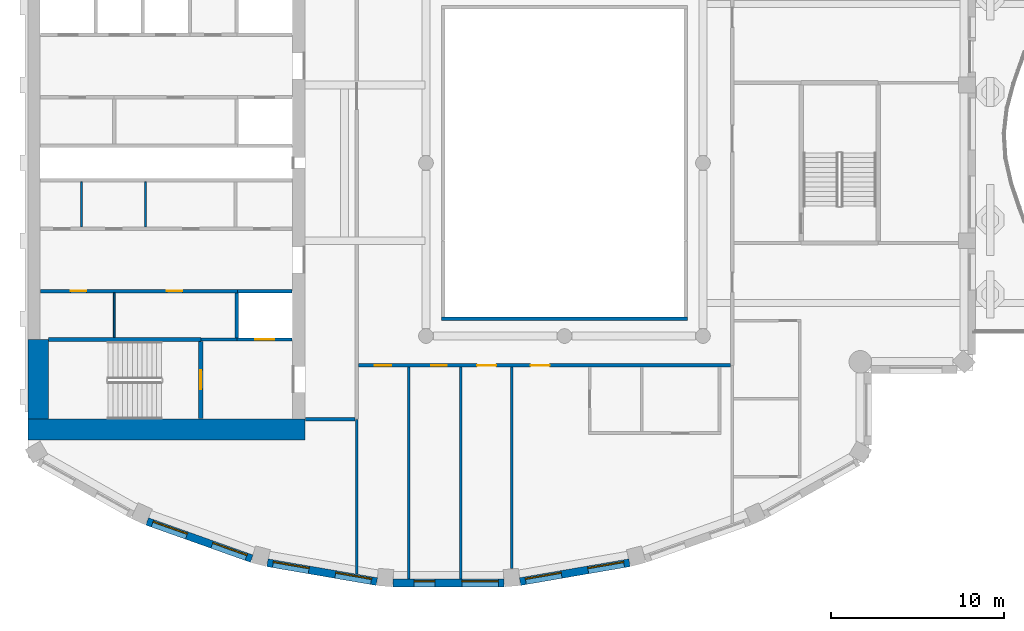
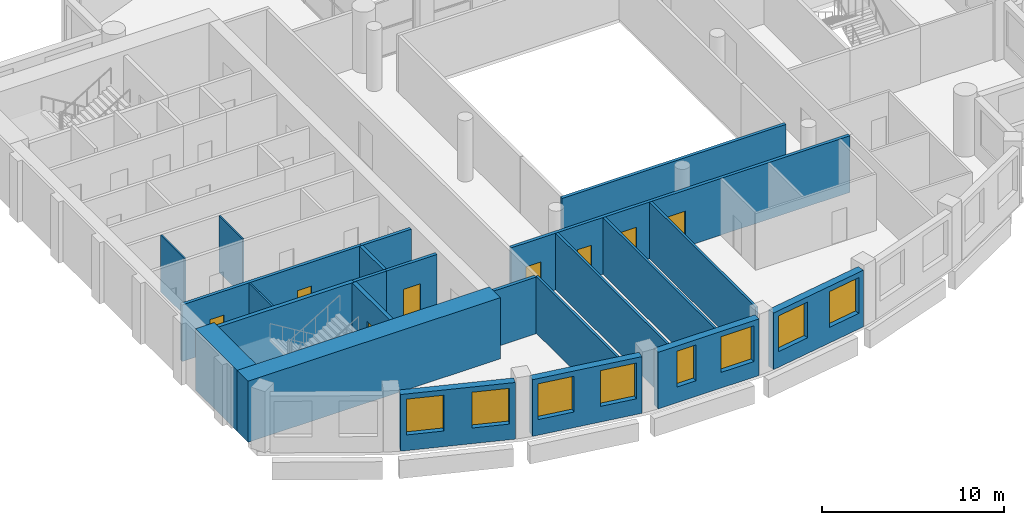
# One storey, part 4 of 14: 23 walls, 8 doors, 8 windows, 16 openings.
"""IFC4 building model written with IfcOpenShell, lengths in metres."""

from ifc_helpers import new_model, si_unit, direction, frame, frame_2d, origin, place, context, subcontext, project, spatial, rectangle, extrude, material, layer, layer_set, type_object, element, fill, save


model = new_model("IFC4")

# Units and contexts
model_context = context("Model", 3, precision=1e-05, world=origin(), true_north=direction((0.0, 1.0)))
body_context = subcontext(model_context, "Body", "Model", "MODEL_VIEW")
ifc_project = project(units=[si_unit("LENGTHUNIT", "METRE"), si_unit("AREAUNIT", "SQUARE_METRE"), si_unit("VOLUMEUNIT", "CUBIC_METRE"), si_unit("PLANEANGLEUNIT", "RADIAN"), si_unit("MASSUNIT", "GRAM", prefix="KILO")], contexts=[model_context])

# Site, building, storey
site_placement = place(None, origin())
site = spatial("IfcSite", under=ifc_project, at=site_placement, CompositionType="ELEMENT")
building_placement = place(site_placement, origin())
building = spatial("IfcBuilding", under=site, at=building_placement, Name="Cypress Arch Tower", CompositionType="ELEMENT")
storey_placement = place(building_placement, frame((0.0, 0.0, 268.0)))
storey = spatial("IfcBuildingStorey", under=building, at=storey_placement, Name="L60", CompositionType="ELEMENT", Elevation=268.0)

# Wall, openings, windows
ifc_material_1 = material(Name="Brick (red buff blend)", Category="masonry")
ifc_layer_1 = layer(ifc_material_1, 0.449951171875)
ifc_layer_set_1 = layer_set([ifc_layer_1], Name="Brick pier and spandrel wall BW450")
wall_type_1 = type_object("IfcWallType", Name="Brick pier and spandrel wall BW450", PredefinedType="SOLIDWALL", material=ifc_layer_set_1)
wall_1_placement = place(storey_placement, frame((-23.10498046875, -20.70947265625, 0.0), z_axis=(0.0, 0.0, 1.0), x_axis=(0.942104058931, -0.335320655711, 0.0)))
wall_1 = element("IfcWall", 1, at=wall_1_placement, inside=storey, type_object=wall_type_1, Name="Brick wall L60 C09.0", PredefinedType="SOLIDWALL", context=body_context, shape_type="SweptSolid", body=[
    extrude(rectangle(XDim=6.411376953125, YDim=0.449951171875, at=frame_2d((3.20556640625, 0.0))), origin(), (0.0, 0.0, 1.0), 3.800048828125),
])
opening_1_placement = place(wall_1_placement, frame((0.3271484375, 0.0, 1.050048828125)))
opening_1 = element("IfcOpeningElement", 2, at=opening_1_placement, cuts=wall_1, Name="Opening W210O", PredefinedType="OPENING", context=body_context, shape_type="SweptSolid", body=[
    extrude(rectangle(XDim=2.10009765625, YDim=2.39990234375, at=frame_2d((1.050048828125, 1.199951171875))), frame((0.0, 0.23486328125, 0.0), z_axis=(0.0, -1.0, 0.0), x_axis=(1.0, 0.0, 0.0)), (0.0, 0.0, 1.0), 0.469970703125),
])
opening_2_placement = place(wall_1_placement, frame((3.984619140625, 0.0, 1.050048828125)))
opening_2 = element("IfcOpeningElement", 3, at=opening_2_placement, cuts=wall_1, Name="Opening W210O", PredefinedType="OPENING", context=body_context, shape_type="SweptSolid", body=[
    extrude(rectangle(XDim=2.10009765625, YDim=2.39990234375, at=frame_2d((1.050048828125, 1.199951171875))), frame((0.0, 0.23486328125, 0.0), z_axis=(0.0, -1.0, 0.0), x_axis=(1.0, 0.0, 0.0)), (0.0, 0.0, 1.0), 0.469970703125),
])
ifc_material_2 = material(Name="Anodised aluminium, bronze finish, clear low-emissivity double glazing", Category="aluminium")
window_type_1 = type_object("IfcWindowType", Name="Window Office 2100x2400", PartitioningType="SINGLE_PANEL", PredefinedType="WINDOW", material=ifc_material_2)
window_1_placement = place(opening_1_placement, origin())
window_1 = element("IfcWindow", 4, at=window_1_placement, inside=storey, type_object=window_type_1, Name="Window L60 C09.0.1", OverallHeight=2.39990234375, OverallWidth=2.10009765625, PartitioningType="SINGLE_PANEL", PredefinedType="WINDOW", context=body_context, shape_type="SweptSolid", body=[
    extrude(rectangle(XDim=2.10009765625, YDim=2.39990234375, at=frame_2d((1.050048828125, 1.199951171875))), frame((0.0, 0.135009765625, 0.0), z_axis=(0.0, -1.0, 0.0), x_axis=(1.0, 0.0, 0.0)), (0.0, 0.0, 1.0), 0.06005859375),
])
fill(opening_1, window_1)
window_2_placement = place(opening_2_placement, origin())
window_2 = element("IfcWindow", 5, at=window_2_placement, inside=storey, type_object=window_type_1, Name="Window L60 C09.0.2", OverallHeight=2.39990234375, OverallWidth=2.10009765625, PartitioningType="SINGLE_PANEL", PredefinedType="WINDOW", context=body_context, shape_type="SweptSolid", body=[
    extrude(rectangle(XDim=2.10009765625, YDim=2.39990234375, at=frame_2d((1.050048828125, 1.199951171875))), frame((0.0, 0.135009765625, 0.0), z_axis=(0.0, -1.0, 0.0), x_axis=(1.0, 0.0, 0.0)), (0.0, 0.0, 1.0), 0.06005859375),
])
fill(opening_2, window_2)

wall_2_placement = place(storey_placement, frame((-16.15673828125, -23.09716796875, 0.0), z_axis=(0.0, 0.0, 1.0), x_axis=(0.985502073964, -0.169663379113, 0.0)))
wall_2 = element("IfcWall", 6, at=wall_2_placement, inside=storey, type_object=wall_type_1, Name="Brick wall L60 C10.0", PredefinedType="SOLIDWALL", context=body_context, shape_type="SweptSolid", body=[
    extrude(rectangle(XDim=6.412109375, YDim=0.449951171875, at=frame_2d((3.2060546875, 0.0))), origin(), (0.0, 0.0, 1.0), 3.800048828125),
])
opening_3_placement = place(wall_2_placement, frame((0.3271484375, 0.0, 1.050048828125)))
opening_3 = element("IfcOpeningElement", 7, at=opening_3_placement, cuts=wall_2, Name="Opening W210O", PredefinedType="OPENING", context=body_context, shape_type="SweptSolid", body=[
    extrude(rectangle(XDim=2.10009765625, YDim=2.39990234375, at=frame_2d((1.050048828125, 1.199951171875))), frame((0.0, 0.23486328125, 0.0), z_axis=(0.0, -1.0, 0.0), x_axis=(1.0, 0.0, 0.0)), (0.0, 0.0, 1.0), 0.469970703125),
])
opening_4_placement = place(wall_2_placement, frame((3.98486328125, 0.0, 1.050048828125)))
opening_4 = element("IfcOpeningElement", 8, at=opening_4_placement, cuts=wall_2, Name="Opening W210O", PredefinedType="OPENING", context=body_context, shape_type="SweptSolid", body=[
    extrude(rectangle(XDim=2.10009765625, YDim=2.39990234375, at=frame_2d((1.050048828125, 1.199951171875))), frame((0.0, 0.23486328125, 0.0), z_axis=(0.0, -1.0, 0.0), x_axis=(1.0, 0.0, 0.0)), (0.0, 0.0, 1.0), 0.469970703125),
])
window_3_placement = place(opening_3_placement, origin())
window_3 = element("IfcWindow", 9, at=window_3_placement, inside=storey, type_object=window_type_1, Name="Window L60 C10.0.1", OverallHeight=2.39990234375, OverallWidth=2.10009765625, PartitioningType="SINGLE_PANEL", PredefinedType="WINDOW", context=body_context, shape_type="SweptSolid", body=[
    extrude(rectangle(XDim=2.10009765625, YDim=2.39990234375, at=frame_2d((1.050048828125, 1.199951171875))), frame((0.0, 0.135009765625, 0.0), z_axis=(0.0, -1.0, 0.0), x_axis=(1.0, 0.0, 0.0)), (0.0, 0.0, 1.0), 0.06005859375),
])
fill(opening_3, window_3)
window_4_placement = place(opening_4_placement, origin())
window_4 = element("IfcWindow", 10, at=window_4_placement, inside=storey, type_object=window_type_1, Name="Window L60 C10.0.2", OverallHeight=2.39990234375, OverallWidth=2.10009765625, PartitioningType="SINGLE_PANEL", PredefinedType="WINDOW", context=body_context, shape_type="SweptSolid", body=[
    extrude(rectangle(XDim=2.10009765625, YDim=2.39990234375, at=frame_2d((1.050048828125, 1.199951171875))), frame((0.0, 0.135009765625, 0.0), z_axis=(0.0, -1.0, 0.0), x_axis=(1.0, 0.0, 0.0)), (0.0, 0.0, 1.0), 0.06005859375),
])
fill(opening_4, window_4)

wall_3_placement = place(storey_placement, frame((-8.90283203125, -24.264892578125, 0.0), z_axis=(0.0, 0.0, 1.0), x_axis=(1.0, 0.0, 0.0)))
wall_3 = element("IfcWall", 11, at=wall_3_placement, inside=storey, type_object=wall_type_1, Name="Brick wall L60 C11.0", PredefinedType="SOLIDWALL", context=body_context, shape_type="SweptSolid", body=[
    extrude(rectangle(XDim=6.405517578125, YDim=0.449951171875, at=frame_2d((3.20263671875, 0.0))), origin(), (0.0, 0.0, 1.0), 3.800048828125),
])
opening_5_placement = place(wall_3_placement, frame((3.97998046875, 0.0, 1.050048828125)))
opening_5 = element("IfcOpeningElement", 12, at=opening_5_placement, cuts=wall_3, Name="Opening W210O", PredefinedType="OPENING", context=body_context, shape_type="SweptSolid", body=[
    extrude(rectangle(XDim=2.10009765625, YDim=2.39990234375, at=frame_2d((1.050048828125, 1.199951171875))), frame((0.0, 0.23486328125, 0.0), z_axis=(0.0, -1.0, 0.0), x_axis=(1.0, 0.0, 0.0)), (0.0, 0.0, 1.0), 0.469970703125),
])
opening_6_placement = place(wall_3_placement, frame((1.214111328125, 0.0, 1.050048828125)))
opening_6 = element("IfcOpeningElement", 13, at=opening_6_placement, cuts=wall_3, Name="Opening W120O", PredefinedType="OPENING", context=body_context, shape_type="SweptSolid", body=[
    extrude(rectangle(XDim=1.199951171875, YDim=2.39990234375, at=frame_2d((0.60009765625, 1.199951171875))), frame((0.0, 0.23486328125, 0.0), z_axis=(0.0, -1.0, 0.0), x_axis=(1.0, 0.0, 0.0)), (0.0, 0.0, 1.0), 0.469970703125),
])
ifc_material_3 = material(Name="Anodised aluminium, bronze finish, clear low-emissivity double glazing", Category="aluminium")
window_type_2 = type_object("IfcWindowType", Name="Window Office 1200x2400", PartitioningType="SINGLE_PANEL", PredefinedType="WINDOW", material=ifc_material_3)
window_5_placement = place(opening_6_placement, origin())
window_5 = element("IfcWindow", 14, at=window_5_placement, inside=storey, type_object=window_type_2, Name="Window L60 C11.0.1", OverallHeight=2.39990234375, OverallWidth=1.199951171875, PartitioningType="SINGLE_PANEL", PredefinedType="WINDOW", context=body_context, shape_type="SweptSolid", body=[
    extrude(rectangle(XDim=1.199951171875, YDim=2.39990234375, at=frame_2d((0.60009765625, 1.199951171875))), frame((0.0, 0.135009765625, 0.0), z_axis=(0.0, -1.0, 0.0), x_axis=(1.0, 0.0, 0.0)), (0.0, 0.0, 1.0), 0.06005859375),
])
fill(opening_6, window_5)
window_6_placement = place(opening_5_placement, origin())
window_6 = element("IfcWindow", 15, at=window_6_placement, inside=storey, type_object=window_type_1, Name="Window L60 C11.0.2", OverallHeight=2.39990234375, OverallWidth=2.10009765625, PartitioningType="SINGLE_PANEL", PredefinedType="WINDOW", context=body_context, shape_type="SweptSolid", body=[
    extrude(rectangle(XDim=2.10009765625, YDim=2.39990234375, at=frame_2d((1.050048828125, 1.199951171875))), frame((0.0, 0.135009765625, 0.0), z_axis=(0.0, -1.0, 0.0), x_axis=(1.0, 0.0, 0.0)), (0.0, 0.0, 1.0), 0.06005859375),
])
fill(opening_5, window_6)

wall_4_placement = place(storey_placement, frame((-1.562255859375, -24.18505859375, 0.0), z_axis=(0.0, 0.0, 1.0), x_axis=(0.985502073964, 0.169663379113, 0.0)))
wall_4 = element("IfcWall", 16, at=wall_4_placement, inside=storey, type_object=wall_type_1, Name="Brick wall L60 C12.0", PredefinedType="SOLIDWALL", context=body_context, shape_type="SweptSolid", body=[
    extrude(rectangle(XDim=6.412109375, YDim=0.449951171875, at=frame_2d((3.2060546875, 0.0))), origin(), (0.0, 0.0, 1.0), 3.800048828125),
])
opening_7_placement = place(wall_4_placement, frame((0.3271484375, 0.0, 1.050048828125)))
opening_7 = element("IfcOpeningElement", 17, at=opening_7_placement, cuts=wall_4, Name="Opening W210O", PredefinedType="OPENING", context=body_context, shape_type="SweptSolid", body=[
    extrude(rectangle(XDim=2.10009765625, YDim=2.39990234375, at=frame_2d((1.050048828125, 1.199951171875))), frame((0.0, 0.23486328125, 0.0), z_axis=(0.0, -1.0, 0.0), x_axis=(1.0, 0.0, 0.0)), (0.0, 0.0, 1.0), 0.469970703125),
])
opening_8_placement = place(wall_4_placement, frame((3.98486328125, 0.0, 1.050048828125)))
opening_8 = element("IfcOpeningElement", 18, at=opening_8_placement, cuts=wall_4, Name="Opening W210O", PredefinedType="OPENING", context=body_context, shape_type="SweptSolid", body=[
    extrude(rectangle(XDim=2.10009765625, YDim=2.39990234375, at=frame_2d((1.050048828125, 1.199951171875))), frame((0.0, 0.23486328125, 0.0), z_axis=(0.0, -1.0, 0.0), x_axis=(1.0, 0.0, 0.0)), (0.0, 0.0, 1.0), 0.469970703125),
])
window_7_placement = place(opening_7_placement, origin())
window_7 = element("IfcWindow", 19, at=window_7_placement, inside=storey, type_object=window_type_1, Name="Window L60 C12.0.1", OverallHeight=2.39990234375, OverallWidth=2.10009765625, PartitioningType="SINGLE_PANEL", PredefinedType="WINDOW", context=body_context, shape_type="SweptSolid", body=[
    extrude(rectangle(XDim=2.10009765625, YDim=2.39990234375, at=frame_2d((1.050048828125, 1.199951171875))), frame((0.0, 0.135009765625, 0.0), z_axis=(0.0, -1.0, 0.0), x_axis=(1.0, 0.0, 0.0)), (0.0, 0.0, 1.0), 0.06005859375),
])
fill(opening_7, window_7)
window_8_placement = place(opening_8_placement, origin())
window_8 = element("IfcWindow", 20, at=window_8_placement, inside=storey, type_object=window_type_1, Name="Window L60 C12.0.2", OverallHeight=2.39990234375, OverallWidth=2.10009765625, PartitioningType="SINGLE_PANEL", PredefinedType="WINDOW", context=body_context, shape_type="SweptSolid", body=[
    extrude(rectangle(XDim=2.10009765625, YDim=2.39990234375, at=frame_2d((1.050048828125, 1.199951171875))), frame((0.0, 0.135009765625, 0.0), z_axis=(0.0, -1.0, 0.0), x_axis=(1.0, 0.0, 0.0)), (0.0, 0.0, 1.0), 0.06005859375),
])
fill(opening_8, window_8)

# Walls
ifc_material_4 = material(Name="Concrete C60/75", Category="concrete")
ifc_layer_2 = layer(ifc_material_4, 1.199951171875)
ifc_layer_set_2 = layer_set([ifc_layer_2], Name="Core wall CW1200 C60/75")
wall_type_2 = type_object("IfcWallType", Name="Core wall CW1200 C60/75", PredefinedType="SHEAR", material=ifc_layer_set_2)
wall_5_placement = place(storey_placement, frame((-30.0, -15.39990234375, 0.0), z_axis=(0.0, 0.0, 1.0), x_axis=(1.0, 0.0, 0.0)))
element("IfcWall", 21, at=wall_5_placement, inside=storey, type_object=wall_type_2, Name="Core wall", PredefinedType="SHEAR", context=body_context, shape_type="SweptSolid", body=[
    extrude(rectangle(XDim=16.0, YDim=1.199951171875, at=frame_2d((8.0, 0.0))), origin(), (0.0, 0.0, 1.0), 4.10009765625),
])
wall_6_placement = place(storey_placement, frame((-29.39990234375, -14.800048828125, 0.0), z_axis=(0.0, 0.0, 1.0), x_axis=(0.0, 1.0, 0.0)))
element("IfcWall", 22, at=wall_6_placement, inside=storey, type_object=wall_type_2, Name="Core wall", PredefinedType="SHEAR", context=body_context, shape_type="SweptSolid", body=[
    extrude(rectangle(XDim=4.60009765625, YDim=1.199951171875, at=frame_2d((2.300048828125, 0.0))), origin(), (0.0, 0.0, 1.0), 4.10009765625),
])

# Wall, openings, doors
ifc_material_5 = material(Name="Concrete blockwork, plastered, rated", Category="masonry")
ifc_layer_3 = layer(ifc_material_5, 0.199951171875)
ifc_layer_set_3 = layer_set([ifc_layer_3], Name="Corridor wall FW200")
wall_type_3 = type_object("IfcWallType", Name="Corridor wall FW200", PredefinedType="PARTITIONING", material=ifc_layer_set_3)
wall_7_placement = place(storey_placement, frame((-29.27001953125, -7.39990234375, 0.0), z_axis=(0.0, 0.0, 1.0), x_axis=(1.0, 0.0, 0.0)))
wall_7 = element("IfcWall", 23, at=wall_7_placement, inside=storey, type_object=wall_type_3, Name="Corridor wall", PredefinedType="PARTITIONING", context=body_context, shape_type="SweptSolid", body=[
    extrude(rectangle(XDim=11.3701171875, YDim=0.199951171875, at=frame_2d((5.68505859375, 0.0))), origin(), (0.0, 0.0, 1.0), 3.800048828125),
])
opening_9_placement = place(wall_7_placement, frame((1.75, 0.0, 0.0)))
opening_9 = element("IfcOpeningElement", 24, at=opening_9_placement, cuts=wall_7, Name="Opening D05", PredefinedType="OPENING", context=body_context, shape_type="SweptSolid", body=[
    extrude(rectangle(XDim=0.89990234375, YDim=2.199951171875, at=frame_2d((0.449951171875, 1.10009765625))), frame((0.0, 0.10986328125, 0.0), z_axis=(0.0, -1.0, 0.0), x_axis=(1.0, 0.0, 0.0)), (0.0, 0.0, 1.0), 0.219970703125),
])
opening_10_placement = place(wall_7_placement, frame((7.300048828125, 0.0, 0.0)))
opening_10 = element("IfcOpeningElement", 25, at=opening_10_placement, cuts=wall_7, Name="Opening D05", PredefinedType="OPENING", context=body_context, shape_type="SweptSolid", body=[
    extrude(rectangle(XDim=0.89990234375, YDim=2.199951171875, at=frame_2d((0.449951171875, 1.10009765625))), frame((0.0, 0.10986328125, 0.0), z_axis=(0.0, -1.0, 0.0), x_axis=(1.0, 0.0, 0.0)), (0.0, 0.0, 1.0), 0.219970703125),
])
ifc_material_6 = material(Name="Timber flush door", Category="wood")
door_type_1 = type_object("IfcDoorType", Name="Service door D05 900x2200", OperationType="SINGLE_SWING_LEFT", PredefinedType="DOOR", material=ifc_material_6)
door_1_placement = place(opening_9_placement, origin())
door_1 = element("IfcDoor", 26, at=door_1_placement, inside=storey, type_object=door_type_1, Name="Service door", OperationType="SINGLE_SWING_LEFT", OverallHeight=2.199951171875, OverallWidth=0.89990234375, PredefinedType="DOOR", context=body_context, shape_type="SweptSolid", body=[
    extrude(rectangle(XDim=0.89990234375, YDim=2.199951171875, at=frame_2d((0.449951171875, 1.10009765625))), frame((0.0, 0.02490234375, 0.0), z_axis=(0.0, -1.0, 0.0), x_axis=(1.0, 0.0, 0.0)), (0.0, 0.0, 1.0), 0.050048828125),
])
fill(opening_9, door_1)
door_2_placement = place(opening_10_placement, origin())
door_2 = element("IfcDoor", 27, at=door_2_placement, inside=storey, type_object=door_type_1, Name="Service door", OperationType="SINGLE_SWING_RIGHT", OverallHeight=2.199951171875, OverallWidth=0.89990234375, PredefinedType="DOOR", context=body_context, shape_type="SweptSolid", body=[
    extrude(rectangle(XDim=0.89990234375, YDim=2.199951171875, at=frame_2d((0.449951171875, 1.10009765625))), frame((0.0, 0.02490234375, 0.0), z_axis=(0.0, -1.0, 0.0), x_axis=(1.0, 0.0, 0.0)), (0.0, 0.0, 1.0), 0.050048828125),
])
fill(opening_10, door_2)

# Walls
wall_8_placement = place(storey_placement, frame((-20.0, -10.199951171875, 0.0), z_axis=(0.0, 0.0, 1.0), x_axis=(1.0, 0.0, 0.0)))
element("IfcWall", 28, at=wall_8_placement, inside=storey, type_object=wall_type_3, Name="Corridor wall", PredefinedType="PARTITIONING", context=body_context, shape_type="SweptSolid", body=[
    extrude(rectangle(XDim=2.080078125, YDim=0.199951171875, at=frame_2d((1.0400390625, 0.0))), origin(), (0.0, 0.0, 1.0), 3.800048828125),
])
wall_9_placement = place(storey_placement, frame((-13.969970703125, -14.800048828125, 0.0), z_axis=(0.0, 0.0, 1.0), x_axis=(1.0, 0.0, 0.0)))
element("IfcWall", 29, at=wall_9_placement, inside=storey, type_object=wall_type_3, Name="Corridor wall", PredefinedType="PARTITIONING", context=body_context, shape_type="SweptSolid", body=[
    extrude(rectangle(XDim=2.869873046875, YDim=0.199951171875, at=frame_2d((1.43505859375, 0.0))), origin(), (0.0, 0.0, 1.0), 3.800048828125),
])

# Wall, openings, doors
wall_10_placement = place(storey_placement, frame((-10.89990234375, -11.699951171875, 0.0), z_axis=(0.0, 0.0, 1.0), x_axis=(1.0, 0.0, 0.0)))
wall_10 = element("IfcWall", 30, at=wall_10_placement, inside=storey, type_object=wall_type_3, Name="Corridor wall", PredefinedType="PARTITIONING", context=body_context, shape_type="SweptSolid", body=[
    extrude(rectangle(XDim=21.5, YDim=0.199951171875, at=frame_2d((10.75, 0.0))), origin(), (0.0, 0.0, 1.0), 3.800048828125),
])
opening_11_placement = place(wall_10_placement, frame((0.949951171875, 0.0, 0.0)))
opening_11 = element("IfcOpeningElement", 31, at=opening_11_placement, cuts=wall_10, Name="Opening D02", PredefinedType="OPENING", context=body_context, shape_type="SweptSolid", body=[
    extrude(rectangle(XDim=0.949951171875, YDim=2.199951171875, at=frame_2d((0.47509765625, 1.10009765625))), frame((0.0, 0.10986328125, 0.0), z_axis=(0.0, -1.0, 0.0), x_axis=(1.0, 0.0, 0.0)), (0.0, 0.0, 1.0), 0.219970703125),
])
opening_12_placement = place(wall_10_placement, frame((4.199951171875, 0.0, 0.0)))
opening_12 = element("IfcOpeningElement", 32, at=opening_12_placement, cuts=wall_10, Name="Opening D05", PredefinedType="OPENING", context=body_context, shape_type="SweptSolid", body=[
    extrude(rectangle(XDim=0.89990234375, YDim=2.199951171875, at=frame_2d((0.449951171875, 1.10009765625))), frame((0.0, 0.10986328125, 0.0), z_axis=(0.0, -1.0, 0.0), x_axis=(1.0, 0.0, 0.0)), (0.0, 0.0, 1.0), 0.219970703125),
])
opening_13_placement = place(wall_10_placement, frame((6.85009765625, 0.0, 0.0)))
opening_13 = element("IfcOpeningElement", 33, at=opening_13_placement, cuts=wall_10, Name="Opening D01", PredefinedType="OPENING", context=body_context, shape_type="SweptSolid", body=[
    extrude(rectangle(XDim=1.10009765625, YDim=2.39990234375, at=frame_2d((0.550048828125, 1.199951171875))), frame((0.0, 0.10986328125, 0.0), z_axis=(0.0, -1.0, 0.0), x_axis=(1.0, 0.0, 0.0)), (0.0, 0.0, 1.0), 0.219970703125),
])
opening_14_placement = place(wall_10_placement, frame((9.949951171875, 0.0, 0.0)))
opening_14 = element("IfcOpeningElement", 34, at=opening_14_placement, cuts=wall_10, Name="Opening D01", PredefinedType="OPENING", context=body_context, shape_type="SweptSolid", body=[
    extrude(rectangle(XDim=1.10009765625, YDim=2.39990234375, at=frame_2d((0.550048828125, 1.199951171875))), frame((0.0, 0.10986328125, 0.0), z_axis=(0.0, -1.0, 0.0), x_axis=(1.0, 0.0, 0.0)), (0.0, 0.0, 1.0), 0.219970703125),
])
ifc_material_7 = material(Name="Timber flush door, fire resisting", Category="wood")
door_type_2 = type_object("IfcDoorType", Name="Room door D02 950x2200", OperationType="SINGLE_SWING_LEFT", PredefinedType="DOOR", material=ifc_material_7)
door_3_placement = place(opening_11_placement, origin())
door_3 = element("IfcDoor", 35, at=door_3_placement, inside=storey, type_object=door_type_2, Name="Room door", OperationType="SINGLE_SWING_LEFT", OverallHeight=2.199951171875, OverallWidth=0.949951171875, PredefinedType="DOOR", context=body_context, shape_type="SweptSolid", body=[
    extrude(rectangle(XDim=0.949951171875, YDim=2.199951171875, at=frame_2d((0.47509765625, 1.10009765625))), frame((0.0, 0.02490234375, 0.0), z_axis=(0.0, -1.0, 0.0), x_axis=(1.0, 0.0, 0.0)), (0.0, 0.0, 1.0), 0.050048828125),
])
fill(opening_11, door_3)
door_4_placement = place(opening_12_placement, origin())
door_4 = element("IfcDoor", 36, at=door_4_placement, inside=storey, type_object=door_type_1, Name="Service door", OperationType="SINGLE_SWING_LEFT", OverallHeight=2.199951171875, OverallWidth=0.89990234375, PredefinedType="DOOR", context=body_context, shape_type="SweptSolid", body=[
    extrude(rectangle(XDim=0.89990234375, YDim=2.199951171875, at=frame_2d((0.449951171875, 1.10009765625))), frame((0.0, 0.02490234375, 0.0), z_axis=(0.0, -1.0, 0.0), x_axis=(1.0, 0.0, 0.0)), (0.0, 0.0, 1.0), 0.050048828125),
])
fill(opening_12, door_4)
ifc_material_8 = material(Name="Timber flush door, fire resisting, self-closing", Category="wood")
door_type_3 = type_object("IfcDoorType", Name="Unit entrance door D01 1100x2400", OperationType="SINGLE_SWING_LEFT", PredefinedType="DOOR", material=ifc_material_8)
door_5_placement = place(opening_13_placement, origin())
door_5 = element("IfcDoor", 37, at=door_5_placement, inside=storey, type_object=door_type_3, Name="Unit entrance door", OperationType="SINGLE_SWING_LEFT", OverallHeight=2.39990234375, OverallWidth=1.10009765625, PredefinedType="DOOR", context=body_context, shape_type="SweptSolid", body=[
    extrude(rectangle(XDim=1.10009765625, YDim=2.39990234375, at=frame_2d((0.550048828125, 1.199951171875))), frame((0.0, 0.02490234375, 0.0), z_axis=(0.0, -1.0, 0.0), x_axis=(1.0, 0.0, 0.0)), (0.0, 0.0, 1.0), 0.050048828125),
])
fill(opening_13, door_5)
door_6_placement = place(opening_14_placement, origin())
door_6 = element("IfcDoor", 38, at=door_6_placement, inside=storey, type_object=door_type_3, Name="Unit entrance door", OperationType="SINGLE_SWING_RIGHT", OverallHeight=2.39990234375, OverallWidth=1.10009765625, PredefinedType="DOOR", context=body_context, shape_type="SweptSolid", body=[
    extrude(rectangle(XDim=1.10009765625, YDim=2.39990234375, at=frame_2d((0.550048828125, 1.199951171875))), frame((0.0, 0.02490234375, 0.0), z_axis=(0.0, -1.0, 0.0), x_axis=(1.0, 0.0, 0.0)), (0.0, 0.0, 1.0), 0.050048828125),
])
fill(opening_14, door_6)

# Walls
wall_11_placement = place(storey_placement, frame((-6.10009765625, -9.0, 0.0), z_axis=(0.0, 0.0, 1.0), x_axis=(1.0, 0.0, 0.0)))
element("IfcWall", 39, at=wall_11_placement, inside=storey, type_object=wall_type_3, Name="Corridor wall", PredefinedType="PARTITIONING", context=body_context, shape_type="SweptSolid", body=[
    extrude(rectangle(XDim=14.2001953125, YDim=0.199951171875, at=frame_2d((7.10009765625, 0.0))), origin(), (0.0, 0.0, 1.0), 3.800048828125),
])
ifc_material_9 = material(Name="Blockwork, plastered both sides", Category="masonry")
ifc_layer_4 = layer(ifc_material_9, 0.14990234375)
ifc_layer_set_4 = layer_set([ifc_layer_4], Name="Partition PW150")
wall_type_4 = type_object("IfcWallType", Name="Partition PW150", PredefinedType="PARTITIONING", material=ifc_layer_set_4)
wall_12_placement = place(storey_placement, frame((-11.0, -23.756591796875, 0.0), z_axis=(0.0, 0.0, 1.0), x_axis=(0.0, 1.0, 0.0)))
element("IfcWall", 40, at=wall_12_placement, inside=storey, type_object=wall_type_4, Name="Partition", PredefinedType="PARTITIONING", context=body_context, shape_type="SweptSolid", body=[
    extrude(rectangle(XDim=8.9365234375, YDim=0.14990234375, at=frame_2d((4.46826171875, 0.0))), origin(), (0.0, 0.0, 1.0), 3.800048828125),
])
for number, where, z_axis, x_axis, name in (
    (41, (-8.0, -24.0400390625, 0.0), (0.0, 0.0, 1.0), (0.0, 1.0, 0.0), "Partition"),
    (42, (-5.0, -24.0400390625, 0.0), (0.0, 0.0, 1.0), (0.0, 1.0, 0.0), "Partition"),
):
    element("IfcWall", number, at=place(storey_placement, frame(where, z_axis=z_axis, x_axis=x_axis)), inside=storey, type_object=wall_type_4, Name=name, PredefinedType="PARTITIONING", context=body_context, shape_type="SweptSolid", body=[
        extrude(rectangle(XDim=12.239990234375, YDim=0.14990234375, at=frame_2d((6.1201171875, 0.0))), origin(), (0.0, 0.0, 1.0), 3.800048828125),
    ])
wall_13_placement = place(storey_placement, frame((-2.0458984375, -23.441162109375, 0.0), z_axis=(0.0, 0.0, 1.0), x_axis=(0.0, 1.0, 0.0)))
element("IfcWall", 43, at=wall_13_placement, inside=storey, type_object=wall_type_4, Name="Partition", PredefinedType="PARTITIONING", context=body_context, shape_type="SweptSolid", body=[
    extrude(rectangle(XDim=11.64111328125, YDim=0.14990234375, at=frame_2d((5.820556640625, 0.0))), origin(), (0.0, 0.0, 1.0), 3.800048828125),
])
ifc_material_10 = material(Name="Concrete C50/60", Category="concrete")
ifc_layer_5 = layer(ifc_material_10, 0.199951171875)
ifc_layer_set_5 = layer_set([ifc_layer_5], Name="Shaft wall SH200")
wall_type_5 = type_object("IfcWallType", Name="Shaft wall SH200", PredefinedType="SHEAR", material=ifc_layer_set_5)
wall_14_placement = place(storey_placement, frame((-17.919921875, -10.10009765625, 0.0), z_axis=(0.0, 0.0, 1.0), x_axis=(0.0, 1.0, 0.0)))
element("IfcWall", 44, at=wall_14_placement, inside=storey, type_object=wall_type_5, Name="Shaft wall", PredefinedType="SHEAR", context=body_context, shape_type="SweptSolid", body=[
    extrude(rectangle(XDim=2.60009765625, YDim=0.199951171875, at=frame_2d((1.300048828125, 0.0))), origin(), (0.0, 0.0, 1.0), 3.800048828125),
])

# Wall, opening, door
wall_15_placement = place(storey_placement, frame((-17.919921875, -10.199951171875, 0.0), z_axis=(0.0, 0.0, 1.0), x_axis=(1.0, 0.0, 0.0)))
wall_15 = element("IfcWall", 45, at=wall_15_placement, inside=storey, type_object=wall_type_5, Name="Shaft wall", PredefinedType="SHEAR", context=body_context, shape_type="SweptSolid", body=[
    extrude(rectangle(XDim=3.18994140625, YDim=0.199951171875, at=frame_2d((1.594970703125, 0.0))), origin(), (0.0, 0.0, 1.0), 3.800048828125),
])
opening_15_placement = place(wall_15_placement, frame((1.050048828125, 0.0, 0.0)))
opening_15 = element("IfcOpeningElement", 46, at=opening_15_placement, cuts=wall_15, Name="Opening LD-FL1", PredefinedType="OPENING", context=body_context, shape_type="SweptSolid", body=[
    extrude(rectangle(XDim=1.10009765625, YDim=2.199951171875, at=frame_2d((0.550048828125, 1.10009765625))), frame((0.0, 0.10986328125, 0.0), z_axis=(0.0, -1.0, 0.0), x_axis=(1.0, 0.0, 0.0)), (0.0, 0.0, 1.0), 0.219970703125),
])
ifc_material_11 = material(Name="Stainless steel centre-opening landing door, rated", Category="steel")
door_type_4 = type_object("IfcDoorType", Name="Lift landing door LD 1100x2200", OperationType="DOUBLE_DOOR_SLIDING", PredefinedType="DOOR", material=ifc_material_11)
door_7_placement = place(opening_15_placement, origin())
door_7 = element("IfcDoor", 47, at=door_7_placement, inside=storey, type_object=door_type_4, Name="Lift landing doors FL1", OperationType="DOUBLE_DOOR_SLIDING", OverallHeight=2.199951171875, OverallWidth=1.10009765625, PredefinedType="DOOR", context=body_context, shape_type="SweptSolid", body=[
    extrude(rectangle(XDim=1.10009765625, YDim=2.199951171875, at=frame_2d((0.550048828125, 1.10009765625))), frame((0.0, 0.02490234375, 0.0), z_axis=(0.0, -1.0, 0.0), x_axis=(1.0, 0.0, 0.0)), (0.0, 0.0, 1.0), 0.050048828125),
])
fill(opening_15, door_7)

# Walls
wall_16_placement = place(storey_placement, frame((-17.89990234375, -7.39990234375, 0.0), z_axis=(0.0, 0.0, 1.0), x_axis=(1.0, 0.0, 0.0)))
element("IfcWall", 48, at=wall_16_placement, inside=storey, type_object=wall_type_5, Name="Shaft wall", PredefinedType="SHEAR", context=body_context, shape_type="SweptSolid", body=[
    extrude(rectangle(XDim=3.169921875, YDim=0.199951171875, at=frame_2d((1.5849609375, 0.0))), origin(), (0.0, 0.0, 1.0), 3.800048828125),
])
ifc_material_12 = material(Name="Concrete C50/60", Category="concrete")
ifc_layer_6 = layer(ifc_material_12, 0.25)
ifc_layer_set_6 = layer_set([ifc_layer_6], Name="Stair enclosure wall SW250")
wall_type_6 = type_object("IfcWallType", Name="Stair enclosure wall SW250", PredefinedType="SHEAR", material=ifc_layer_set_6)
wall_17_placement = place(storey_placement, frame((-28.81005859375, -10.199951171875, 0.0), z_axis=(0.0, 0.0, 1.0), x_axis=(1.0, 0.0, 0.0)))
element("IfcWall", 49, at=wall_17_placement, inside=storey, type_object=wall_type_6, Name="Stair enclosure wall", PredefinedType="SHEAR", context=body_context, shape_type="SweptSolid", body=[
    extrude(rectangle(XDim=8.81005859375, YDim=0.25, at=frame_2d((4.405029296875, 0.0))), origin(), (0.0, 0.0, 1.0), 3.800048828125),
])

# Wall, opening, door
wall_18_placement = place(storey_placement, frame((-20.0, -14.77001953125, 0.0), z_axis=(0.0, 0.0, 1.0), x_axis=(0.0, 1.0, 0.0)))
wall_18 = element("IfcWall", 50, at=wall_18_placement, inside=storey, type_object=wall_type_6, Name="Stair enclosure wall", PredefinedType="SHEAR", context=body_context, shape_type="SweptSolid", body=[
    extrude(rectangle(XDim=4.445068359375, YDim=0.25, at=frame_2d((2.22265625, 0.0))), origin(), (0.0, 0.0, 1.0), 3.800048828125),
])
opening_16_placement = place(wall_18_placement, frame((1.699951171875, 0.0, 0.0)))
opening_16 = element("IfcOpeningElement", 51, at=opening_16_placement, cuts=wall_18, Name="Opening D06", PredefinedType="OPENING", context=body_context, shape_type="SweptSolid", body=[
    extrude(rectangle(XDim=1.10009765625, YDim=2.199951171875, at=frame_2d((0.550048828125, 1.10009765625))), frame((0.0, 0.135009765625, 0.0), z_axis=(0.0, -1.0, 0.0), x_axis=(1.0, 0.0, 0.0)), (0.0, 0.0, 1.0), 0.27001953125),
])
ifc_material_13 = material(Name="Steel door, fire resisting, panic bar", Category="steel")
door_type_5 = type_object("IfcDoorType", Name="Stair door D06 1100x2200", OperationType="SINGLE_SWING_LEFT", PredefinedType="DOOR", material=ifc_material_13)
door_8_placement = place(opening_16_placement, origin())
door_8 = element("IfcDoor", 52, at=door_8_placement, inside=storey, type_object=door_type_5, Name="Stair door", OperationType="SINGLE_SWING_RIGHT", OverallHeight=2.199951171875, OverallWidth=1.10009765625, PredefinedType="DOOR", context=body_context, shape_type="SweptSolid", body=[
    extrude(rectangle(XDim=1.10009765625, YDim=2.199951171875, at=frame_2d((0.550048828125, 1.10009765625))), frame((0.0, 0.02490234375, 0.0), z_axis=(0.0, -1.0, 0.0), x_axis=(1.0, 0.0, 0.0)), (0.0, 0.0, 1.0), 0.050048828125),
])
fill(opening_16, door_8)

# Walls
ifc_material_14 = material(Name="Moisture resistant board on steel studs, tiled", Category="steel")
ifc_layer_7 = layer(ifc_material_14, 0.10009765625)
ifc_layer_set_7 = layer_set([ifc_layer_7], Name="Wet wall PW100")
wall_type_7 = type_object("IfcWallType", Name="Wet wall PW100", PredefinedType="PARTITIONING", material=ifc_layer_set_7)
wall_19_placement = place(storey_placement, frame((-26.89990234375, -3.699951171875, 0.0), z_axis=(0.0, 0.0, 1.0), x_axis=(0.0, 1.0, 0.0)))
element("IfcWall", 53, at=wall_19_placement, inside=storey, type_object=wall_type_7, Name="Wet wall", PredefinedType="PARTITIONING", context=body_context, shape_type="SweptSolid", body=[
    extrude(rectangle(XDim=2.599853515625, YDim=0.10009765625, at=frame_2d((1.2998046875, 0.0))), origin(), (0.0, 0.0, 1.0), 3.800048828125),
])
wall_20_placement = place(storey_placement, frame((-25.0, -10.074951171875, 0.0), z_axis=(0.0, 0.0, 1.0), x_axis=(0.0, 1.0, 0.0)))
element("IfcWall", 54, at=wall_20_placement, inside=storey, type_object=wall_type_7, Name="Wet wall", PredefinedType="PARTITIONING", context=body_context, shape_type="SweptSolid", body=[
    extrude(rectangle(XDim=2.574951171875, YDim=0.10009765625, at=frame_2d((1.28759765625, 0.0))), origin(), (0.0, 0.0, 1.0), 3.800048828125),
])
wall_21_placement = place(storey_placement, frame((-23.199951171875, -3.699951171875, 0.0), z_axis=(0.0, 0.0, 1.0), x_axis=(0.0, 1.0, 0.0)))
element("IfcWall", 55, at=wall_21_placement, inside=storey, type_object=wall_type_7, Name="Wet wall", PredefinedType="PARTITIONING", context=body_context, shape_type="SweptSolid", body=[
    extrude(rectangle(XDim=2.599853515625, YDim=0.10009765625, at=frame_2d((1.2998046875, 0.0))), origin(), (0.0, 0.0, 1.0), 3.800048828125),
])

save(model, "model.ifc")
